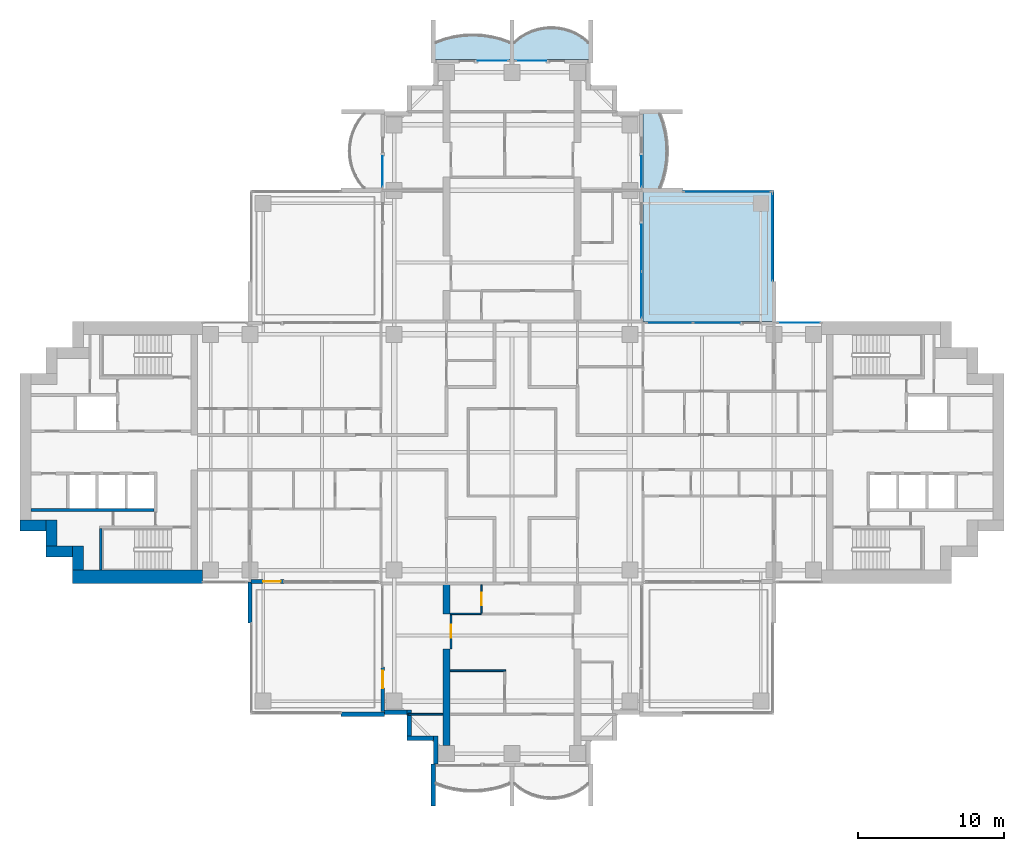
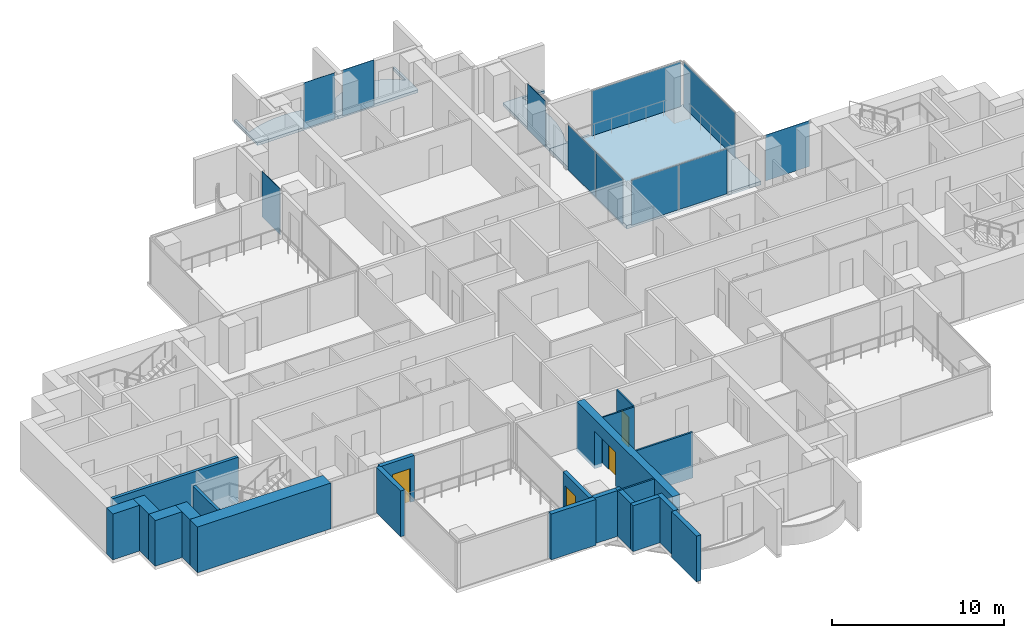
# One storey, part 8 of 18: 22 walls, 11 plates, 4 doors, 4 slabs, 4 openings, 9 elements without a shape of their own.
"""IFC4 building model written with IfcOpenShell, lengths in metres."""

from ifc_helpers import new_model, si_unit, direction, frame, frame_2d, origin, origin_2d, place, context, subcontext, project, spatial, polyline, rectangle, outline, extrude, material, layer, layer_set, material_profile, profile_set, type_object, element, fill, aggregate, save


model = new_model("IFC4")

# Units and contexts
model_context = context("Model", 3, precision=1e-05, world=origin(), true_north=direction((0.0, 1.0)))
body_context = subcontext(model_context, "Body", "Model", "MODEL_VIEW")
ifc_project = project(units=[si_unit("LENGTHUNIT", "METRE"), si_unit("AREAUNIT", "SQUARE_METRE"), si_unit("VOLUMEUNIT", "CUBIC_METRE"), si_unit("PLANEANGLEUNIT", "RADIAN"), si_unit("MASSUNIT", "GRAM", prefix="KILO")], contexts=[model_context])

# Site, building, storey
site_placement = place(None, origin())
site = spatial("IfcSite", under=ifc_project, at=site_placement, CompositionType="ELEMENT")
building_placement = place(site_placement, origin())
building = spatial("IfcBuilding", under=site, at=building_placement, Name="Perihelion Cross Residences", CompositionType="ELEMENT")
storey_placement = place(building_placement, frame((0.0, 0.0, 130.39990234375)))
storey = spatial("IfcBuildingStorey", under=building, at=storey_placement, Name="L31", CompositionType="ELEMENT", Elevation=130.39990234375)

# Slabs
ifc_material_1 = material(Name="Concrete C40/50", Category="concrete")
ifc_layer_1 = layer(ifc_material_1, 0.199951171875)
ifc_layer_set_1 = layer_set([ifc_layer_1], Name="Balcony slab 200")
slab_type_1 = type_object("IfcSlabType", Name="Balcony slab 200", PredefinedType="FLOOR", material=ifc_layer_set_1)
slab_1_placement = place(storey_placement, frame((0.0, 0.0, -0.199951171875)))
element("IfcSlab", 1, at=slab_1_placement, inside=storey, type_object=slab_type_1, Name="Slab BK1 L31 north side east bay 2 balcony", PredefinedType="FLOOR", context=body_context, shape_type="SweptSolid", body=[
    extrude(outline(polyline([(9.0, 18.0), (9.0, 23.39990234375), (11.699951171875, 23.39990234375), (11.699951171875, 23.25), (10.199951171875, 23.25), (10.423583984375, 22.612548828125), (10.57861328125, 21.97509765625), (10.669921875, 21.33740234375), (10.699951171875, 20.699951171875), (10.669921875, 20.0625), (10.57861328125, 19.425048828125), (10.423583984375, 18.78759765625), (10.199951171875, 18.14990234375), (11.699951171875, 18.14990234375), (11.699951171875, 18.0), (9.0, 18.0)])), origin(), (0.0, 0.0, 1.0), 0.199951171875),
])
slab_2_placement = place(storey_placement, frame((0.0, 0.0, -0.199951171875)))
element("IfcSlab", 2, at=slab_2_placement, inside=storey, type_object=slab_type_1, Name="Slab BK1 L31 north tip north bay 1 balcony", PredefinedType="FLOOR", context=body_context, shape_type="SweptSolid", body=[
    extrude(outline(polyline([(5.39990234375, 27.0), (0.0, 27.0), (0.0, 29.699951171875), (0.14990234375, 29.699951171875), (0.14990234375, 28.199951171875), (0.574951171875, 28.5400390625), (1.0, 28.792724609375), (1.425048828125, 28.9765625), (1.85009765625, 29.1025390625), (2.27490234375, 29.17578125), (2.699951171875, 29.199951171875), (3.125, 29.17578125), (3.550048828125, 29.1025390625), (3.97509765625, 28.9765625), (4.39990234375, 28.792724609375), (4.824951171875, 28.5400390625), (5.25, 28.199951171875), (5.25, 29.699951171875), (5.39990234375, 29.699951171875), (5.39990234375, 27.0)])), origin(), (0.0, 0.0, 1.0), 0.199951171875),
])
slab_3_placement = place(storey_placement, frame((0.0, 0.0, -0.199951171875)))
element("IfcSlab", 3, at=slab_3_placement, inside=storey, type_object=slab_type_1, Name="Slab BK1 L31 north tip north bay 2 balcony", PredefinedType="FLOOR", context=body_context, shape_type="SweptSolid", body=[
    extrude(outline(polyline([(0.0, 27.0), (-5.39990234375, 27.0), (-5.39990234375, 29.699951171875), (-5.25, 29.699951171875), (-5.25, 28.199951171875), (-4.612548828125, 28.423583984375), (-3.97509765625, 28.57861328125), (-3.33740234375, 28.669921875), (-2.699951171875, 28.699951171875), (-2.0625, 28.669921875), (-1.425048828125, 28.57861328125), (-0.78759765625, 28.423583984375), (-0.14990234375, 28.199951171875), (-0.14990234375, 29.699951171875), (0.0, 29.699951171875), (0.0, 27.0)])), origin(), (0.0, 0.0, 1.0), 0.199951171875),
])

# Curtain wall, plate
ifc_material_2 = material(Name="Bronze anodised aluminium, tinted glazing", Category="aluminium")
curtain_wall_type_1 = type_object("IfcCurtainWallType", Name="CW1", PredefinedType="NOTDEFINED", material=ifc_material_2)
curtain_wall_1_placement = place(storey_placement, origin())
curtain_wall_1 = element("IfcCurtainWall", 4, at=curtain_wall_1_placement, inside=storey, type_object=curtain_wall_type_1, Name="Curtain wall CW1 L31 east side north bay 1", PredefinedType="NOTDEFINED")
ifc_material_3 = material(Name="Tinted laminated glass", Category="glass")
ifc_layer_2 = layer(ifc_material_3, 0.028076171875)
ifc_layer_set_2 = layer_set([ifc_layer_2], Name="CW1 panel")
plate_type_1 = type_object("IfcPlateType", Name="CW1 panel", PredefinedType="CURTAIN_PANEL", material=ifc_layer_set_2)
plate_1_placement = place(storey_placement, frame((19.72509765625, 8.89990234375, 0.0), z_axis=(0.0, 0.0, 1.0), x_axis=(-1.0, 0.0, 0.0)))
plate_1 = element("IfcPlate", 5, at=plate_1_placement, type_object=plate_type_1, Name="CW1 panel 1", PredefinedType="CURTAIN_PANEL", context=body_context, shape_type="SweptSolid", body=[
    extrude(rectangle(XDim=2.929931640625, YDim=0.028076171875, at=origin_2d()), origin(), (0.0, 0.0, 1.0), 3.25),
])
aggregate(curtain_wall_1, [plate_1])

# Curtain wall, plates
curtain_wall_2_placement = place(storey_placement, origin())
curtain_wall_2 = element("IfcCurtainWall", 6, at=curtain_wall_2_placement, inside=storey, type_object=curtain_wall_type_1, Name="Curtain wall CW1 L31 east side north bay 2", PredefinedType="NOTDEFINED")
plate_2_placement = place(storey_placement, frame((14.052490234375, 8.89990234375, 0.000244140625), z_axis=(0.0, 0.0, 1.0), x_axis=(-1.0, 0.0, 0.0)))
plate_2 = element("IfcPlate", 7, at=plate_2_placement, type_object=plate_type_1, Name="CW1 panel 1", PredefinedType="CURTAIN_PANEL", context=body_context, shape_type="SweptSolid", body=[
    extrude(rectangle(XDim=3.195068359375, YDim=0.028076171875, at=origin_2d()), origin(), (0.0, 0.0, 1.0), 3.18994140625),
])
plate_3_placement = place(storey_placement, frame((10.827392578125, 8.89990234375, 0.000244140625), z_axis=(0.0, 0.0, 1.0), x_axis=(-1.0, 0.0, 0.0)))
plate_3 = element("IfcPlate", 8, at=plate_3_placement, type_object=plate_type_1, Name="CW1 panel 2", PredefinedType="CURTAIN_PANEL", context=body_context, shape_type="SweptSolid", body=[
    extrude(rectangle(XDim=3.135009765625, YDim=0.028076171875, at=origin_2d()), origin(), (0.0, 0.0, 1.0), 3.18994140625),
])
aggregate(curtain_wall_2, [plate_2, plate_3])

curtain_wall_3_placement = place(storey_placement, origin())
curtain_wall_3 = element("IfcCurtainWall", 9, at=curtain_wall_3_placement, inside=storey, type_object=curtain_wall_type_1, Name="Curtain wall CW1 L31 north side east bay 1", PredefinedType="NOTDEFINED")
plate_4_placement = place(storey_placement, frame((8.89990234375, 10.827392578125, 0.000244140625), z_axis=(0.0, 0.0, 1.0), x_axis=(0.0, 1.0, 0.0)))
plate_4 = element("IfcPlate", 10, at=plate_4_placement, type_object=plate_type_1, Name="CW1 panel 1", PredefinedType="CURTAIN_PANEL", context=body_context, shape_type="SweptSolid", body=[
    extrude(rectangle(XDim=3.135009765625, YDim=0.028076171875, at=origin_2d()), origin(), (0.0, 0.0, 1.0), 3.18994140625),
])
plate_5_placement = place(storey_placement, frame((8.89990234375, 14.052490234375, 0.000244140625), z_axis=(0.0, 0.0, 1.0), x_axis=(0.0, 1.0, 0.0)))
plate_5 = element("IfcPlate", 11, at=plate_5_placement, type_object=plate_type_1, Name="CW1 panel 2", PredefinedType="CURTAIN_PANEL", context=body_context, shape_type="SweptSolid", body=[
    extrude(rectangle(XDim=3.195068359375, YDim=0.028076171875, at=origin_2d()), origin(), (0.0, 0.0, 1.0), 3.18994140625),
])
aggregate(curtain_wall_3, [plate_4, plate_5])

# Curtain wall, plate
curtain_wall_4_placement = place(storey_placement, origin())
curtain_wall_4 = element("IfcCurtainWall", 12, at=curtain_wall_4_placement, inside=storey, type_object=curtain_wall_type_1, Name="Curtain wall CW1 L31 north side east bay 2", PredefinedType="NOTDEFINED")
plate_6_placement = place(storey_placement, frame((8.89990234375, 19.304931640625, 0.0), z_axis=(0.0, 0.0, 1.0), x_axis=(0.0, 1.0, 0.0)))
plate_6 = element("IfcPlate", 13, at=plate_6_placement, type_object=plate_type_1, Name="CW1 panel 1", PredefinedType="CURTAIN_PANEL", context=body_context, shape_type="SweptSolid", body=[
    extrude(rectangle(XDim=2.090087890625, YDim=0.028076171875, at=origin_2d()), origin(), (0.0, 0.0, 1.0), 3.25),
])
aggregate(curtain_wall_4, [plate_6])

curtain_wall_5_placement = place(storey_placement, origin())
curtain_wall_5 = element("IfcCurtainWall", 14, at=curtain_wall_5_placement, inside=storey, type_object=curtain_wall_type_1, Name="Curtain wall CW1 L31 north tip north bay 1", PredefinedType="NOTDEFINED")
plate_7_placement = place(storey_placement, frame((1.304931640625, 26.89990234375, 0.0), z_axis=(0.0, 0.0, 1.0), x_axis=(-1.0, 0.0, 0.0)))
plate_7 = element("IfcPlate", 15, at=plate_7_placement, type_object=plate_type_1, Name="CW1 panel 1", PredefinedType="CURTAIN_PANEL", context=body_context, shape_type="SweptSolid", body=[
    extrude(rectangle(XDim=2.090087890625, YDim=0.028076171875, at=origin_2d()), origin(), (0.0, 0.0, 1.0), 3.25),
])
aggregate(curtain_wall_5, [plate_7])

curtain_wall_6_placement = place(storey_placement, origin())
curtain_wall_6 = element("IfcCurtainWall", 16, at=curtain_wall_6_placement, inside=storey, type_object=curtain_wall_type_1, Name="Curtain wall CW1 L31 north tip north bay 2", PredefinedType="NOTDEFINED")
plate_8_placement = place(storey_placement, frame((-1.304931640625, 26.89990234375, 0.0), z_axis=(0.0, 0.0, 1.0), x_axis=(-1.0, 0.0, 0.0)))
plate_8 = element("IfcPlate", 17, at=plate_8_placement, type_object=plate_type_1, Name="CW1 panel 1", PredefinedType="CURTAIN_PANEL", context=body_context, shape_type="SweptSolid", body=[
    extrude(rectangle(XDim=2.090087890625, YDim=0.028076171875, at=origin_2d()), origin(), (0.0, 0.0, 1.0), 3.25),
])
aggregate(curtain_wall_6, [plate_8])

curtain_wall_7_placement = place(storey_placement, origin())
curtain_wall_7 = element("IfcCurtainWall", 18, at=curtain_wall_7_placement, inside=storey, type_object=curtain_wall_type_1, Name="Curtain wall CW1 L31 north side west bay 1", PredefinedType="NOTDEFINED")
plate_9_placement = place(storey_placement, frame((-8.89990234375, 19.304931640625, 0.0), z_axis=(0.0, 0.0, 1.0), x_axis=(0.0, -1.0, 0.0)))
plate_9 = element("IfcPlate", 19, at=plate_9_placement, type_object=plate_type_1, Name="CW1 panel 1", PredefinedType="CURTAIN_PANEL", context=body_context, shape_type="SweptSolid", body=[
    extrude(rectangle(XDim=2.090087890625, YDim=0.028076171875, at=origin_2d()), origin(), (0.0, 0.0, 1.0), 3.25),
])
aggregate(curtain_wall_7, [plate_9])

ifc_material_4 = material(Name="Bronze anodised aluminium, tinted glazing", Category="aluminium")
curtain_wall_type_2 = type_object("IfcCurtainWallType", Name="CW4", PredefinedType="NOTDEFINED", material=ifc_material_4)
curtain_wall_8_placement = place(storey_placement, origin())
curtain_wall_8 = element("IfcCurtainWall", 20, at=curtain_wall_8_placement, inside=storey, type_object=curtain_wall_type_2, Name="Curtain wall CW4 L31 pocket north-east 1 1", PredefinedType="NOTDEFINED")
ifc_material_5 = material(Name="Tinted laminated glass", Category="glass")
ifc_layer_3 = layer(ifc_material_5, 0.030029296875)
ifc_layer_set_3 = layer_set([ifc_layer_3], Name="CW4 panel")
plate_type_2 = type_object("IfcPlateType", Name="CW4 panel", PredefinedType="CURTAIN_PANEL", material=ifc_layer_set_3)
plate_10_placement = place(storey_placement, frame((14.784912109375, 17.89990234375, 0.000244140625), z_axis=(0.0, 0.0, 1.0), x_axis=(1.0, 0.0, 0.0)))
plate_10 = element("IfcPlate", 21, at=plate_10_placement, type_object=plate_type_2, Name="CW4 panel 1", PredefinedType="CURTAIN_PANEL", context=body_context, shape_type="SweptSolid", body=[
    extrude(rectangle(XDim=5.969970703125, YDim=0.030029296875, at=origin_2d()), origin(), (0.0, 0.0, 1.0), 3.18994140625),
])
aggregate(curtain_wall_8, [plate_10])

curtain_wall_9_placement = place(storey_placement, origin())
curtain_wall_9 = element("IfcCurtainWall", 22, at=curtain_wall_9_placement, inside=storey, type_object=curtain_wall_type_2, Name="Curtain wall CW4 L31 pocket north-east 1 2", PredefinedType="NOTDEFINED")
plate_11_placement = place(storey_placement, frame((17.89990234375, 14.784912109375, 0.000244140625), z_axis=(0.0, 0.0, 1.0), x_axis=(0.0, -1.0, 0.0)))
plate_11 = element("IfcPlate", 23, at=plate_11_placement, type_object=plate_type_2, Name="CW4 panel 1", PredefinedType="CURTAIN_PANEL", context=body_context, shape_type="SweptSolid", body=[
    extrude(rectangle(XDim=5.969970703125, YDim=0.030029296875, at=origin_2d()), origin(), (0.0, 0.0, 1.0), 3.18994140625),
])
aggregate(curtain_wall_9, [plate_11])

# Slab
ifc_material_6 = material(Name="Concrete C40/50", Category="concrete")
ifc_layer_4 = layer(ifc_material_6, 0.25)
ifc_layer_set_4 = layer_set([ifc_layer_4], Name="Winter garden slab")
slab_type_2 = type_object("IfcSlabType", Name="Winter garden slab", PredefinedType="FLOOR", material=ifc_layer_set_4)
slab_4_placement = place(storey_placement, frame((0.0, 0.0, -0.25)))
element("IfcSlab", 24, at=slab_4_placement, inside=storey, type_object=slab_type_2, Name="Slab BK3 L31 pocket north-east", PredefinedType="FLOOR", context=body_context, shape_type="SweptSolid", body=[
    extrude(outline(polyline([(18.0, 9.0), (18.0, 18.0), (9.0, 18.0), (9.0, 9.0), (18.0, 9.0)])), origin(), (0.0, 0.0, 1.0), 0.25),
])

# Wall, opening, door
ifc_material_7 = material(Name="Concrete C30/37, bronze-clad", Category="concrete")
ifc_layer_5 = layer(ifc_material_7, 0.25)
ifc_layer_set_5 = layer_set([ifc_layer_5], Name="Bronze-clad pier wall 250")
wall_type_1 = type_object("IfcWallType", Name="Bronze-clad pier wall 250", PredefinedType="SOLIDWALL", material=ifc_layer_set_5)
wall_1_placement = place(storey_placement, frame((-17.93994140625, -8.875, 0.0), z_axis=(0.0, 0.0, 1.0), x_axis=(1.0, 0.0, 0.0)))
wall_1 = element("IfcWall", 25, at=wall_1_placement, inside=storey, type_object=wall_type_1, Name="Wall FW1 L31 west side south bay 2 pier", PredefinedType="SOLIDWALL", context=body_context, shape_type="SweptSolid", body=[
    extrude(rectangle(XDim=2.2900390625, YDim=0.25, at=frame_2d((1.14501953125, 0.0))), origin(), (0.0, 0.0, 1.0), 3.25),
])
opening_1_placement = place(wall_1_placement, frame((0.840087890625, 0.0, 0.0)))
opening_1 = element("IfcOpeningElement", 26, at=opening_1_placement, cuts=wall_1, Name="Opening L31.E09", PredefinedType="OPENING", context=body_context, shape_type="SweptSolid", body=[
    extrude(rectangle(XDim=1.199951171875, YDim=2.39990234375, at=frame_2d((0.60009765625, 1.199951171875))), frame((0.0, 0.135009765625, 0.0), z_axis=(0.0, -1.0, 0.0), x_axis=(1.0, 0.0, 0.0)), (0.0, 0.0, 1.0), 0.27001953125),
])
ifc_material_8 = material(Name="Bronze anodised aluminium, glazed", Category="aluminium")
door_type_1 = type_object("IfcDoorType", Name="Balcony door 1200 x 2400", OperationType="NOTDEFINED", PredefinedType="DOOR", material=ifc_material_8)
door_1_placement = place(opening_1_placement, origin())
door_1 = element("IfcDoor", 27, at=door_1_placement, inside=storey, type_object=door_type_1, Name="Door L31.E09 west side south bay 2", OperationType="SINGLE_SWING_RIGHT", OverallHeight=2.39990234375, OverallWidth=1.199951171875, PredefinedType="DOOR", context=body_context, shape_type="SweptSolid", body=[
    extrude(rectangle(XDim=1.199951171875, YDim=2.39990234375, at=frame_2d((0.60009765625, 1.199951171875))), frame((0.0, 0.02490234375, 0.0), z_axis=(0.0, -1.0, 0.0), x_axis=(1.0, 0.0, 0.0)), (0.0, 0.0, 1.0), 0.050048828125),
])
fill(opening_1, door_1)

wall_2_placement = place(storey_placement, frame((-8.875, -14.75, 0.0), z_axis=(0.0, 0.0, 1.0), x_axis=(0.0, -1.0, 0.0)))
wall_2 = element("IfcWall", 28, at=wall_2_placement, inside=storey, type_object=wall_type_1, Name="Wall FW1 L31 south side west bay 1 pier", PredefinedType="SOLIDWALL", context=body_context, shape_type="SweptSolid", body=[
    extrude(rectangle(XDim=3.050048828125, YDim=0.25, at=frame_2d((1.52490234375, 0.0))), origin(), (0.0, 0.0, 1.0), 3.25),
])
opening_2_placement = place(wall_2_placement, frame((0.25, 0.0, 0.0)))
opening_2 = element("IfcOpeningElement", 29, at=opening_2_placement, cuts=wall_2, Name="Opening L31.E10", PredefinedType="OPENING", context=body_context, shape_type="SweptSolid", body=[
    extrude(rectangle(XDim=1.199951171875, YDim=2.39990234375, at=frame_2d((0.60009765625, 1.199951171875))), frame((0.0, 0.135009765625, 0.0), z_axis=(0.0, -1.0, 0.0), x_axis=(1.0, 0.0, 0.0)), (0.0, 0.0, 1.0), 0.27001953125),
])
door_2_placement = place(opening_2_placement, origin())
door_2 = element("IfcDoor", 30, at=door_2_placement, inside=storey, type_object=door_type_1, Name="Door L31.E10 south side west bay 1", OperationType="SINGLE_SWING_LEFT", OverallHeight=2.39990234375, OverallWidth=1.199951171875, PredefinedType="DOOR", context=body_context, shape_type="SweptSolid", body=[
    extrude(rectangle(XDim=1.199951171875, YDim=2.39990234375, at=frame_2d((0.60009765625, 1.199951171875))), frame((0.0, 0.02490234375, 0.0), z_axis=(0.0, -1.0, 0.0), x_axis=(1.0, 0.0, 0.0)), (0.0, 0.0, 1.0), 0.050048828125),
])
fill(opening_2, door_2)

# Walls
ifc_material_9 = material(Name="Concrete C30/37, bronze-clad", Category="concrete")
ifc_layer_6 = layer(ifc_material_9, 0.300048828125)
ifc_layer_set_6 = layer_set([ifc_layer_6], Name="Bronze-clad serration wall 300")
wall_type_2 = type_object("IfcWallType", Name="Bronze-clad serration wall 300", PredefinedType="SOLIDWALL", material=ifc_layer_set_6)
wall_3_placement = place(storey_placement, frame((-8.75, -17.85009765625, 0.0), z_axis=(0.0, 0.0, 1.0), x_axis=(1.0, 0.0, 0.0)))
element("IfcWall", 31, at=wall_3_placement, inside=storey, type_object=wall_type_2, Name="Wall SR1 L31 south corner south-west 1", PredefinedType="SOLIDWALL", context=body_context, shape_type="SweptSolid", body=[
    extrude(rectangle(XDim=1.550048828125, YDim=0.300048828125, at=frame_2d((0.77490234375, 0.0))), origin(), (0.0, 0.0, 1.0), 3.25),
])
for number, where, z_axis, x_axis, name in (
    (32, (-7.050048828125, -17.699951171875, 0.0), (0.0, 0.0, 1.0), (0.0, -1.0, 0.0), "Wall SR1 L31 south corner south-west 2"),
    (33, (-7.199951171875, -19.64990234375, 0.0), (0.0, 0.0, 1.0), (1.0, 0.0, 0.0), "Wall SR1 L31 south corner south-west 3"),
):
    element("IfcWall", number, at=place(storey_placement, frame(where, z_axis=z_axis, x_axis=x_axis)), inside=storey, type_object=wall_type_2, Name=name, PredefinedType="SOLIDWALL", context=body_context, shape_type="SweptSolid", body=[
        extrude(rectangle(XDim=1.800048828125, YDim=0.300048828125, at=frame_2d((0.89990234375, 0.0))), origin(), (0.0, 0.0, 1.0), 3.25),
    ])
wall_4_placement = place(storey_placement, frame((-5.25, -19.5, 0.0), z_axis=(0.0, 0.0, 1.0), x_axis=(0.0, -1.0, 0.0)))
element("IfcWall", 34, at=wall_4_placement, inside=storey, type_object=wall_type_2, Name="Wall SR1 L31 south corner south-west 4", PredefinedType="SOLIDWALL", context=body_context, shape_type="SweptSolid", body=[
    extrude(rectangle(XDim=1.919921875, YDim=0.300048828125, at=frame_2d((0.9599609375, 0.0))), origin(), (0.0, 0.0, 1.0), 3.25),
])
ifc_material_10 = material(Name="Concrete C60/75", Category="concrete")
ifc_layer_7 = layer(ifc_material_10, 0.75)
ifc_layer_set_7 = layer_set([ifc_layer_7], Name="Core wall, outer 750")
wall_type_3 = type_object("IfcWallType", Name="Core wall, outer 750", PredefinedType="SHEAR", material=ifc_layer_set_7)
wall_5_placement = place(storey_placement, frame((-29.824951171875, -8.10009765625, 0.0), z_axis=(0.0, 0.0, 1.0), x_axis=(0.0, 1.0, 0.0)))
element("IfcWall", 35, at=wall_5_placement, inside=storey, type_object=wall_type_3, Name="West core core wall, outer", PredefinedType="SHEAR", context=body_context, shape_type="SweptSolid", body=[
    extrude(rectangle(XDim=1.650146484375, YDim=0.75, at=frame_2d((0.8251953125, 0.0))), origin(), (0.0, 0.0, 1.0), 3.25),
])
for number, where, z_axis, x_axis, name in (
    (36, (-32.0, -6.824951171875, 0.0), (0.0, 0.0, 1.0), (1.0, 0.0, 0.0), "West core core wall, outer"),
    (37, (-31.625, -6.449951171875, 0.0), (0.0, 0.0, 1.0), (0.0, 1.0, 0.0), "West core core wall, outer"),
    (38, (-33.800048828125, -5.02490234375, 0.0), (0.0, 0.0, 1.0), (1.0, 0.0, 0.0), "West core core wall, outer"),
):
    element("IfcWall", number, at=place(storey_placement, frame(where, z_axis=z_axis, x_axis=x_axis)), inside=storey, type_object=wall_type_3, Name=name, PredefinedType="SHEAR", context=body_context, shape_type="SweptSolid", body=[
        extrude(rectangle(XDim=1.800048828125, YDim=0.75, at=frame_2d((0.89990234375, 0.0))), origin(), (0.0, 0.0, 1.0), 3.25),
    ])
ifc_material_11 = material(Name="Concrete C60/75", Category="concrete")
ifc_layer_8 = layer(ifc_material_11, 0.89990234375)
ifc_layer_set_8 = layer_set([ifc_layer_8], Name="Core wall, outer 900")
wall_type_4 = type_object("IfcWallType", Name="Core wall, outer 900", PredefinedType="SHEAR", material=ifc_layer_set_8)
wall_6_placement = place(storey_placement, frame((-30.199951171875, -8.550048828125, 0.0), z_axis=(0.0, 0.0, 1.0), x_axis=(1.0, 0.0, 0.0)))
element("IfcWall", 39, at=wall_6_placement, inside=storey, type_object=wall_type_4, Name="West core core wall, outer", PredefinedType="SHEAR", context=body_context, shape_type="SweptSolid", body=[
    extrude(rectangle(XDim=8.949951171875, YDim=0.89990234375, at=frame_2d((4.47509765625, 0.0))), origin(), (0.0, 0.0, 1.0), 3.25),
])

# Wall, opening, door
ifc_material_12 = material(Name="Plasterboard partition")
ifc_layer_9 = layer(ifc_material_12, 0.1201171875)
ifc_layer_set_9 = layer_set([ifc_layer_9], Name="Infill panel 120")
wall_type_5 = type_object("IfcWallType", Name="Infill panel 120", PredefinedType="PARTITIONING", material=ifc_layer_set_9)
wall_7_placement = place(storey_placement, frame((-4.18994140625, -11.10009765625, 0.0), z_axis=(0.0, 0.0, 1.0), x_axis=(0.0, -1.0, 0.0)))
wall_7 = element("IfcWall", 40, at=wall_7_placement, inside=storey, type_object=wall_type_5, Name="Partition L31 WI06", PredefinedType="PARTITIONING", context=body_context, shape_type="SweptSolid", body=[
    extrude(rectangle(XDim=2.39990234375, YDim=0.1201171875, at=frame_2d((1.199951171875, 0.0))), origin(), (0.0, 0.0, 1.0), 2.400146484375),
])
opening_3_placement = place(wall_7_placement, frame((0.75, 0.0, 0.0)))
opening_3 = element("IfcOpeningElement", 41, at=opening_3_placement, cuts=wall_7, Name="Opening L31.A54", PredefinedType="OPENING", context=body_context, shape_type="SweptSolid", body=[
    extrude(rectangle(XDim=0.89990234375, YDim=2.10009765625, at=frame_2d((0.449951171875, 1.050048828125))), frame((0.0, 0.070068359375, 0.0), z_axis=(0.0, -1.0, 0.0), x_axis=(1.0, 0.0, 0.0)), (0.0, 0.0, 1.0), 0.14013671875),
])
ifc_material_13 = material(Name="Timber door leaf", Category="wood")
door_type_2 = type_object("IfcDoorType", Name="Interior room door 900 x 2100", OperationType="SINGLE_SWING_LEFT", PredefinedType="DOOR", material=ifc_material_13)
door_3_placement = place(opening_3_placement, origin())
door_3 = element("IfcDoor", 42, at=door_3_placement, inside=storey, type_object=door_type_2, Name="Door L31.A54", OperationType="SINGLE_SWING_RIGHT", OverallHeight=2.10009765625, OverallWidth=0.89990234375, PredefinedType="DOOR", context=body_context, shape_type="SweptSolid", body=[
    extrude(rectangle(XDim=0.89990234375, YDim=2.10009765625, at=frame_2d((0.449951171875, 1.050048828125))), frame((0.0, 0.02490234375, 0.0), z_axis=(0.0, -1.0, 0.0), x_axis=(1.0, 0.0, 0.0)), (0.0, 0.0, 1.0), 0.050048828125),
])
fill(opening_3, door_3)

# Walls
ifc_material_14 = material(Name="Plasterboard partition")
ifc_layer_10 = layer(ifc_material_14, 0.1201171875)
ifc_layer_set_10 = layer_set([ifc_layer_10], Name="Partition wall 120")
wall_type_6 = type_object("IfcWallType", Name="Partition wall 120", PredefinedType="PARTITIONING", material=ifc_layer_set_10)
wall_8_placement = place(storey_placement, frame((-0.43994140625, -15.0, 0.0), z_axis=(0.0, 0.0, 1.0), x_axis=(-1.0, 0.0, 0.0)))
element("IfcWall", 43, at=wall_8_placement, inside=storey, type_object=wall_type_6, Name="Partition L31 W078", PredefinedType="PARTITIONING", context=body_context, shape_type="SweptSolid", body=[
    extrude(rectangle(XDim=3.81005859375, YDim=0.1201171875, at=frame_2d((1.905029296875, 0.0))), origin(), (0.0, 0.0, 1.0), 3.25),
])
wall_9_placement = place(storey_placement, frame((-4.75, -18.0, 0.0), z_axis=(0.0, 0.0, 1.0), x_axis=(-1.0, 0.0, 0.0)))
element("IfcWall", 44, at=wall_9_placement, inside=storey, type_object=wall_type_6, Name="Partition L31 W083", PredefinedType="PARTITIONING", context=body_context, shape_type="SweptSolid", body=[
    extrude(rectangle(XDim=2.3701171875, YDim=0.1201171875, at=frame_2d((1.18505859375, 0.0))), origin(), (0.0, 0.0, 1.0), 3.25),
])
ifc_material_15 = material(Name="Precast concrete C50/60", Category="concrete")
ifc_layer_11 = layer(ifc_material_15, 0.300048828125)
ifc_layer_set_11 = layer_set([ifc_layer_11], Name="Precast concrete C50/60 blade wall 300")
wall_type_7 = type_object("IfcWallType", Name="Precast concrete C50/60 blade wall 300", PredefinedType="SOLIDWALL", material=ifc_layer_set_11)
wall_10_placement = place(storey_placement, frame((-18.0, -8.919921875, 0.0), z_axis=(0.0, 0.0, 1.0), x_axis=(0.0, -1.0, 0.0)))
element("IfcWall", 45, at=wall_10_placement, inside=storey, type_object=wall_type_7, Name="Wall BL1 L31 no. 1", PredefinedType="SOLIDWALL", context=body_context, shape_type="SweptSolid", body=[
    extrude(rectangle(XDim=2.820068359375, YDim=0.300048828125, at=frame_2d((1.41015625, 0.0))), origin(), (0.0, 0.0, 1.0), 3.25),
])
wall_11_placement = place(storey_placement, frame((-8.75, -18.0, 0.0), z_axis=(0.0, 0.0, 1.0), x_axis=(-1.0, 0.0, 0.0)))
element("IfcWall", 46, at=wall_11_placement, inside=storey, type_object=wall_type_7, Name="Wall BL1 L31 no. 5", PredefinedType="SOLIDWALL", context=body_context, shape_type="SweptSolid", body=[
    extrude(rectangle(XDim=2.989990234375, YDim=0.300048828125, at=frame_2d((1.4951171875, 0.0))), origin(), (0.0, 0.0, 1.0), 3.25),
])
wall_12_placement = place(storey_placement, frame((-5.39990234375, -21.419921875, 0.0), z_axis=(0.0, 0.0, 1.0), x_axis=(0.0, -1.0, 0.0)))
element("IfcWall", 47, at=wall_12_placement, inside=storey, type_object=wall_type_7, Name="Wall BL1 L31 no. 3", PredefinedType="SOLIDWALL", context=body_context, shape_type="SweptSolid", body=[
    extrude(rectangle(XDim=2.880126953125, YDim=0.300048828125, at=frame_2d((1.43994140625, 0.0))), origin(), (0.0, 0.0, 1.0), 3.25),
])
ifc_material_16 = material(Name="Concrete C50/60", Category="concrete")
ifc_layer_12 = layer(ifc_material_16, 0.199951171875)
ifc_layer_set_12 = layer_set([ifc_layer_12], Name="Shaft wall 200")
wall_type_8 = type_object("IfcWallType", Name="Shaft wall 200", PredefinedType="SOLIDWALL", material=ifc_layer_set_12)
wall_13_placement = place(storey_placement, frame((-33.050048828125, -3.949951171875, 0.0), z_axis=(0.0, 0.0, 1.0), x_axis=(1.0, 0.0, 0.0)))
element("IfcWall", 48, at=wall_13_placement, inside=storey, type_object=wall_type_8, Name="West core shaft wall", PredefinedType="SOLIDWALL", context=body_context, shape_type="SweptSolid", body=[
    extrude(rectangle(XDim=8.449951171875, YDim=0.199951171875, at=frame_2d((4.22509765625, 0.0))), origin(), (0.0, 0.0, 1.0), 3.25),
])
ifc_material_17 = material(Name="Concrete C50/60", Category="concrete")
ifc_layer_13 = layer(ifc_material_17, 0.199951171875)
ifc_layer_set_13 = layer_set([ifc_layer_13], Name="Stair wall 200")
wall_type_9 = type_object("IfcWallType", Name="Stair wall 200", PredefinedType="SOLIDWALL", material=ifc_layer_set_13)
wall_14_placement = place(storey_placement, frame((-28.25, -8.10009765625, 0.0), z_axis=(0.0, 0.0, 1.0), x_axis=(0.0, 1.0, 0.0)))
element("IfcWall", 49, at=wall_14_placement, inside=storey, type_object=wall_type_9, Name="West core stair wall", PredefinedType="SOLIDWALL", context=body_context, shape_type="SweptSolid", body=[
    extrude(rectangle(XDim=2.85009765625, YDim=0.199951171875, at=frame_2d((1.425048828125, 0.0))), origin(), (0.0, 0.0, 1.0), 3.25),
])
ifc_material_18 = material(Name="Concrete C60/75", Category="concrete")
ifc_material_profile = material_profile(ifc_material_18, outline(polyline([(0.0, 0.0), (6.64990234375, 0.0), (6.64990234375, 2.64990234375), (9.050048828125, 2.64990234375), (9.050048828125, 0.0), (11.14990234375, 0.0), (11.14990234375, 3.5), (0.0, 3.5), (0.0, 0.0)])), Name="Tip spine wall")
ifc_profile_set = profile_set([ifc_material_profile], Name="Concrete C60/75")
wall_type_10 = type_object("IfcWallType", Name="Tip spine wall 500 with 1 door openings 11150 long 3500 high concrete C60/75", PredefinedType="SHEAR", material=ifc_profile_set)
wall_15_placement = place(storey_placement, frame((-4.75, -20.14990234375, -0.25), z_axis=(1.0, 0.0, 0.0), x_axis=(0.0, 1.0, 0.0)))
element("IfcWall", 50, at=wall_15_placement, inside=storey, type_object=wall_type_10, Name="Shear wall SW33 L31 south west", PredefinedType="SHEAR", context=body_context, shape_type="SweptSolid", body=[
    extrude(outline(polyline([(0.0, 0.0), (6.64990234375, 0.0), (6.64990234375, 2.64990234375), (9.050048828125, 2.64990234375), (9.050048828125, 0.0), (11.14990234375, 0.0), (11.14990234375, 3.5), (0.0, 3.5), (0.0, 0.0)])), origin(), (0.0, 0.0, 1.0), 0.5),
])

# Wall, opening, door
ifc_material_19 = material(Name="Plasterboard partition")
ifc_layer_14 = layer(ifc_material_19, 0.10009765625)
ifc_layer_set_14 = layer_set([ifc_layer_14], Name="Wet room wall 100")
wall_type_11 = type_object("IfcWallType", Name="Wet room wall 100", PredefinedType="PARTITIONING", material=ifc_layer_set_14)
wall_16_placement = place(storey_placement, frame((-2.10009765625, -11.0400390625, 0.0), z_axis=(0.0, 0.0, 1.0), x_axis=(0.0, 1.0, 0.0)))
wall_16 = element("IfcWall", 51, at=wall_16_placement, inside=storey, type_object=wall_type_11, Name="Partition L31 W074", PredefinedType="PARTITIONING", context=body_context, shape_type="SweptSolid", body=[
    extrude(rectangle(XDim=1.93994140625, YDim=0.10009765625, at=frame_2d((0.969970703125, 0.0))), origin(), (0.0, 0.0, 1.0), 3.25),
])
opening_4_placement = place(wall_16_placement, frame((0.544921875, 0.0, 0.0)))
opening_4 = element("IfcOpeningElement", 52, at=opening_4_placement, cuts=wall_16, Name="Opening L31.A40", PredefinedType="OPENING", context=body_context, shape_type="SweptSolid", body=[
    extrude(rectangle(XDim=0.85009765625, YDim=2.10009765625, at=frame_2d((0.425048828125, 1.050048828125))), frame((0.0, 0.06005859375, 0.0), z_axis=(0.0, -1.0, 0.0), x_axis=(1.0, 0.0, 0.0)), (0.0, 0.0, 1.0), 0.1201171875),
])
ifc_material_20 = material(Name="Timber door leaf", Category="wood")
door_type_3 = type_object("IfcDoorType", Name="Interior bathroom door 850 x 2100", OperationType="SINGLE_SWING_LEFT", PredefinedType="DOOR", material=ifc_material_20)
door_4_placement = place(opening_4_placement, origin())
door_4 = element("IfcDoor", 53, at=door_4_placement, inside=storey, type_object=door_type_3, Name="Door L31.A40", OperationType="SINGLE_SWING_RIGHT", OverallHeight=2.10009765625, OverallWidth=0.85009765625, PredefinedType="DOOR", context=body_context, shape_type="SweptSolid", body=[
    extrude(rectangle(XDim=0.85009765625, YDim=2.10009765625, at=frame_2d((0.425048828125, 1.050048828125))), frame((0.0, 0.02490234375, 0.0), z_axis=(0.0, -1.0, 0.0), x_axis=(1.0, 0.0, 0.0)), (0.0, 0.0, 1.0), 0.050048828125),
])
fill(opening_4, door_4)

# Wall
wall_17_placement = place(storey_placement, frame((-2.10009765625, -11.10009765625, 0.0), z_axis=(0.0, 0.0, 1.0), x_axis=(-1.0, 0.0, 0.0)))
element("IfcWall", 54, at=wall_17_placement, inside=storey, type_object=wall_type_11, Name="Partition L31 W076", PredefinedType="PARTITIONING", context=body_context, shape_type="SweptSolid", body=[
    extrude(rectangle(XDim=2.14990234375, YDim=0.10009765625, at=frame_2d((1.074951171875, 0.0))), origin(), (0.0, 0.0, 1.0), 3.25),
])

save(model, "model.ifc")
